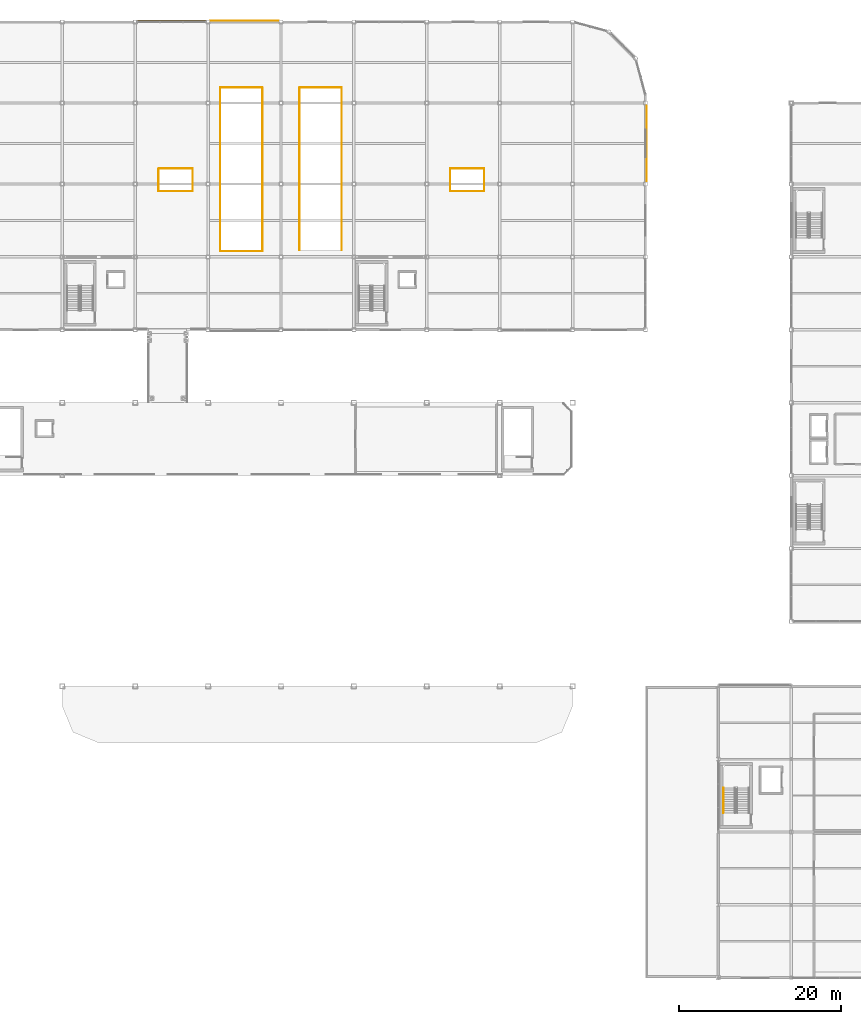
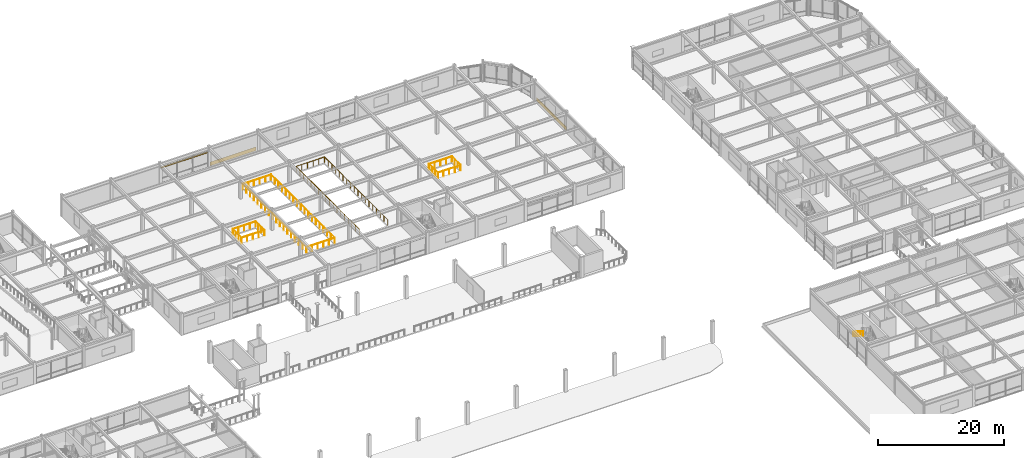
# One storey, part 98 of 105: 8 railings, 2 coverings, 1 shading device.
"""IFC4 building model written with IfcOpenShell, lengths in metres."""

import ifcopenshell
import ifcopenshell.guid

model = None  # the IFC model being written
_history = None  # IfcOwnerHistory: only IFC2X3 demands one
_inside = {}  # id of a spatial element -> (the spatial element, [elements in it])
_under = {}  # id of a project, library or spatial element -> (it, [spatial elements below it])
_declared = {}  # id of a project -> (the project, [libraries it declares])
_typed = {}  # id of a type object -> (the type object, [elements of that type])
_made_of = {}  # id of a material, layer set ... -> (it, [elements and type objects made of it])


def new_model(schema):
    """Start an empty IFC model of exactly this schema.

    Asked for "IFC4X3", IfcOpenShell would pick the latest addendum, in which some entities
    have other attributes; the version numbers below select the first issue.
    IFC2X3 requires an IfcOwnerHistory on every rooted entity: one is made here for all.
    """
    global model, _history
    if schema == "IFC4X3":
        model = ifcopenshell.file(schema_version=(4, 3, 0, 0))
    else:
        model = ifcopenshell.file(schema=schema)
    _inside.clear()
    _under.clear()
    _declared.clear()
    _typed.clear()
    _made_of.clear()
    _history = None
    if model.schema == "IFC2X3":
        org = make("IfcOrganization", Name="unknown")
        user = make(
            "IfcPersonAndOrganization",
            ThePerson=make("IfcPerson", FamilyName="unknown"),
            TheOrganization=org,
        )
        app = make(
            "IfcApplication",
            ApplicationDeveloper=org,
            Version="unknown",
            ApplicationFullName="unknown",
            ApplicationIdentifier="unknown",
        )
        _history = make(
            "IfcOwnerHistory",
            OwningUser=user,
            OwningApplication=app,
            ChangeAction="ADDED",
            CreationDate=0,
        )
    return model


def make(cls, **values):
    """One entity of the class cls with the attributes given. An attribute that is None is left unset."""
    return model.create_entity(
        cls, **{name: value for name, value in values.items() if value is not None}
    )


def rooted(cls, **values):
    """An entity with a GlobalId (a new one), such as an element, a storey or a relation."""
    return make(cls, GlobalId=ifcopenshell.guid.new(), OwnerHistory=_history, **values)


def si_unit(unit_type, name, prefix=None):
    """IfcSIUnit, for example si_unit("LENGTHUNIT", "METRE", prefix="MILLI")."""
    return make("IfcSIUnit", UnitType=unit_type, Prefix=prefix, Name=name)


def assignment(units):
    """IfcUnitAssignment: the units of a project."""
    return None if units is None else make("IfcUnitAssignment", Units=units)


def point(xyz):
    """IfcCartesianPoint."""
    return None if xyz is None else make("IfcCartesianPoint", Coordinates=xyz)


def direction(xyz):
    """IfcDirection."""
    return None if xyz is None else make("IfcDirection", DirectionRatios=xyz)


def frame(location, z_axis=None, x_axis=None):
    """IfcAxis2Placement3D, a coordinate frame: its origin and axes. An axis left out is left unset."""
    return make(
        "IfcAxis2Placement3D",
        Location=point(location),
        Axis=direction(z_axis),
        RefDirection=direction(x_axis),
    )


def frame_2d(location, x_axis=None):
    """IfcAxis2Placement2D, a coordinate frame in the plane: its origin and x axis."""
    return make(
        "IfcAxis2Placement2D", Location=point(location), RefDirection=direction(x_axis)
    )


def origin():
    """The frame at (0, 0, 0) with its axes left unset."""
    return frame((0.0, 0.0, 0.0))


def origin_2d():
    """The frame at (0, 0) in the plane with its x axis left unset."""
    return frame_2d((0.0, 0.0))


def place(relative_to, where):
    """IfcLocalPlacement: puts the frame where relative to a parent placement (None: the world)."""
    return make(
        "IfcLocalPlacement", PlacementRelTo=relative_to, RelativePlacement=where
    )


def context(
    kind, dimensions, precision=None, world=None, true_north=None, identifier=None
):
    """IfcGeometricRepresentationContext, for example the 3D "Model" context."""
    return make(
        "IfcGeometricRepresentationContext",
        ContextIdentifier=identifier,
        ContextType=kind,
        CoordinateSpaceDimension=dimensions,
        Precision=precision,
        WorldCoordinateSystem=world,
        TrueNorth=true_north,
    )


def subcontext(parent, identifier, kind, view, scale=None):
    """IfcGeometricRepresentationSubContext, for example "Body" below "Model"."""
    return make(
        "IfcGeometricRepresentationSubContext",
        ContextIdentifier=identifier,
        ContextType=kind,
        ParentContext=parent,
        TargetScale=scale,
        TargetView=view,
    )


def project(units=None, contexts=None):
    """IfcProject with its units and contexts."""
    return rooted(
        "IfcProject",
        Name="project",
        RepresentationContexts=contexts,
        UnitsInContext=assignment(units),
    )


def spatial(cls, under=None, at=None, **own):
    """A site, building, storey or space (cls), placed at a placement, below another one or the project."""
    s = rooted(cls, ObjectPlacement=at, **own)
    if under is not None:
        _under.setdefault(under.id(), (under, []))[1].append(s)
    return s


def profile(cls, at=None, kind="AREA", **sizes):
    """A parametric profile (cls). Its sizes go by their IFC names, for example OverallWidth=200.0."""
    return make(cls, ProfileType=kind, Position=at, **sizes)


def rectangle(**sizes):
    """IfcRectangleProfileDef."""
    return profile("IfcRectangleProfileDef", **sizes)


def circle(**sizes):
    """IfcCircleProfileDef."""
    return profile("IfcCircleProfileDef", **sizes)


def extrude(swept, where, along, depth):
    """IfcExtrudedAreaSolid: the profile swept, set in the frame where, extruded along a direction by depth."""
    return make(
        "IfcExtrudedAreaSolid",
        SweptArea=swept,
        Position=where,
        ExtrudedDirection=direction(along),
        Depth=depth,
    )


def shape(context_of_items, identifier, shape_type, items):
    """IfcShapeRepresentation: the items that make up one representation, for example the "Body"."""
    return make(
        "IfcShapeRepresentation",
        ContextOfItems=context_of_items,
        RepresentationIdentifier=identifier,
        RepresentationType=shape_type,
        Items=items,
    )


def material(Name=None, Category=None):
    """IfcMaterial."""
    return make("IfcMaterial", Name=Name, Category=Category)


def layer(
    of_material, thickness, ventilated=None, Name=None, Category=None, Priority=None
):
    """IfcMaterialLayer: one layer of a wall or slab, of a material (None: an air gap)."""
    return make(
        "IfcMaterialLayer",
        Material=of_material,
        LayerThickness=thickness,
        IsVentilated=ventilated,
        Name=Name,
        Category=Category,
        Priority=Priority,
    )


def layer_set(layers, Name=None):
    """IfcMaterialLayerSet."""
    return make("IfcMaterialLayerSet", MaterialLayers=layers, LayerSetName=Name)


def material_profile(
    of_material, cross_section, Name=None, Category=None, Priority=None
):
    """IfcMaterialProfile: a cross section and its material."""
    return make(
        "IfcMaterialProfile",
        Name=Name,
        Material=of_material,
        Profile=cross_section,
        Priority=Priority,
        Category=Category,
    )


def profile_set(profiles, Name=None, composite=None):
    """IfcMaterialProfileSet."""
    return make(
        "IfcMaterialProfileSet",
        Name=Name,
        MaterialProfiles=profiles,
        CompositeProfile=composite,
    )


def made_of(thing, what):
    """Note that an element or type object is made of a material, layer set ...; save() writes the relation."""
    if what is not None:
        _made_of.setdefault(what.id(), (what, []))[1].append(thing)
    return thing


def type_object(cls, material=None, **own):
    """A type object (cls), such as IfcWallType, which elements share."""
    return made_of(rooted(cls, **own), material)


def element(
    cls,
    number,
    at=None,
    inside=None,
    cuts=None,
    type_object=None,
    material=None,
    context=None,
    identifier="Body",
    shape_type=None,
    held_by="IfcProductDefinitionShape",
    body=None,
    shapes=None,
    **own,
):
    """One element of the class cls, such as IfcWall. Its Tag is "e" and its number.

    at: its placement. inside: the storey or other place that contains it. cuts: it is an
    opening in that element (IfcRelVoidsElement). A single representation is given by context,
    identifier, shape_type and body (its items); several are given by shapes. held_by: the class
    of the entity that holds the representations. save() writes the other relations.
    """
    e = rooted(cls, Tag="e%d" % number, ObjectPlacement=at, **own)
    if body is not None:
        shapes = [shape(context, identifier, shape_type, body)]
    if shapes is not None:
        e.Representation = make(held_by, Representations=shapes)
    if inside is not None:
        _inside.setdefault(inside.id(), (inside, []))[1].append(e)
    if cuts is not None:
        rooted(
            "IfcRelVoidsElement", RelatingBuildingElement=cuts, RelatedOpeningElement=e
        )
    if type_object is not None:
        _typed.setdefault(type_object.id(), (type_object, []))[1].append(e)
    return made_of(e, material)


def aggregate(whole, parts):
    """IfcRelAggregates: a whole, such as a stair, and the parts it consists of."""
    return rooted("IfcRelAggregates", RelatingObject=whole, RelatedObjects=parts)


def save(model, path):
    """Write the relations noted so far, then the file.

    IfcRelAggregates (storeys below a building ...), IfcRelContainedInSpatialStructure (elements
    in a storey), IfcRelDefinesByType, IfcRelAssociatesMaterial and IfcRelDeclares: one each for
    every whole, place, type object, material and project.
    """
    for whole, parts in _under.values():
        aggregate(whole, parts)
    for where, things in _inside.values():
        rooted(
            "IfcRelContainedInSpatialStructure",
            RelatedElements=things,
            RelatingStructure=where,
        )
    for kind, things in _typed.values():
        rooted("IfcRelDefinesByType", RelatedObjects=things, RelatingType=kind)
    for what, things in _made_of.values():
        rooted("IfcRelAssociatesMaterial", RelatedObjects=things, RelatingMaterial=what)
    for by, libraries in _declared.values():
        rooted("IfcRelDeclares", RelatingContext=by, RelatedDefinitions=libraries)
    model.write(path)


model = new_model("IFC4")

# Units and contexts
model_context = context("Model", 3, precision=1e-05, world=origin(), true_north=direction((0.0, 1.0)))
body_context = subcontext(model_context, "Body", "Model", "MODEL_VIEW")
ifc_project = project(units=[si_unit("LENGTHUNIT", "METRE"), si_unit("AREAUNIT", "SQUARE_METRE"), si_unit("VOLUMEUNIT", "CUBIC_METRE"), si_unit("PLANEANGLEUNIT", "RADIAN"), si_unit("MASSUNIT", "GRAM", prefix="KILO")], contexts=[model_context])

# Site, building, storey
site_placement = place(None, origin())
site = spatial("IfcSite", under=ifc_project, at=site_placement, CompositionType="ELEMENT")
building_placement = place(site_placement, origin())
building = spatial("IfcBuilding", under=site, at=building_placement, Name="Suzunagisa Mobility Hub", CompositionType="ELEMENT")
storey_placement = place(building_placement, frame((0.0, 0.0, 5.10009765625)))
storey = spatial("IfcBuildingStorey", under=building, at=storey_placement, Name="L01", CompositionType="ELEMENT", Elevation=5.10009765625)

# Railings
ifc_material_1 = material(Name="Stainless Steel SUS304", Category="metal")
railing_type_1 = type_object("IfcRailingType", Name="Interior Well Guardrail IGR-01", PredefinedType="GUARDRAIL", material=ifc_material_1)
railing_1_placement = place(storey_placement, frame((73.5, 89.699951171875, 0.0)))
element("IfcRailing", 1, at=railing_1_placement, inside=storey, type_object=railing_type_1, Name="L01 Car Park Up-Ramp Well Guardrail RG-24", PredefinedType="GUARDRAIL", context=body_context, shape_type="SweptSolid", body=[
    extrude(circle(Radius=0.02392578125, at=origin_2d()), frame((0.0, 0.0, 1.09619140625), z_axis=(0.0, 1.0, 0.0), x_axis=(-1.0, 0.0, 0.0)), (0.0, 0.0, 1.0), 20.199951171875),
    extrude(circle(Radius=0.02392578125, at=origin_2d()), frame((0.0, 20.199951171875, 1.09619140625), z_axis=(1.0, 0.0, 0.0), x_axis=(0.0, 1.0, 0.0)), (0.0, 0.0, 1.0), 5.199951171875),
    extrude(circle(Radius=0.02099609375, at=origin_2d()), origin(), (0.0, 0.0, 1.0), 1.072021484375),
    extrude(circle(Radius=0.02099609375, at=origin_2d()), frame((0.0, 1.188232421875, 0.0)), (0.0, 0.0, 1.0), 1.072021484375),
    extrude(circle(Radius=0.02099609375, at=origin_2d()), frame((0.0, 2.37646484375, 0.0)), (0.0, 0.0, 1.0), 1.072021484375),
    extrude(circle(Radius=0.02099609375, at=origin_2d()), frame((0.0, 3.564697265625, 0.0)), (0.0, 0.0, 1.0), 1.072021484375),
    extrude(circle(Radius=0.02099609375, at=origin_2d()), frame((0.0, 4.7529296875, 0.0)), (0.0, 0.0, 1.0), 1.072021484375),
    extrude(circle(Radius=0.02099609375, at=origin_2d()), frame((0.0, 5.941162109375, 0.0)), (0.0, 0.0, 1.0), 1.072021484375),
    extrude(circle(Radius=0.02099609375, at=origin_2d()), frame((0.0, 7.12939453125, 0.0)), (0.0, 0.0, 1.0), 1.072021484375),
    extrude(circle(Radius=0.02099609375, at=origin_2d()), frame((0.0, 8.317626953125, 0.0)), (0.0, 0.0, 1.0), 1.072021484375),
    extrude(circle(Radius=0.02099609375, at=origin_2d()), frame((0.0, 9.505859375, 0.0)), (0.0, 0.0, 1.0), 1.072021484375),
    extrude(circle(Radius=0.02099609375, at=origin_2d()), frame((0.0, 10.694091796875, 0.0)), (0.0, 0.0, 1.0), 1.072021484375),
    extrude(circle(Radius=0.02099609375, at=origin_2d()), frame((0.0, 11.88232421875, 0.0)), (0.0, 0.0, 1.0), 1.072021484375),
    extrude(circle(Radius=0.02099609375, at=origin_2d()), frame((0.0, 13.070556640625, 0.0)), (0.0, 0.0, 1.0), 1.072021484375),
    extrude(circle(Radius=0.02099609375, at=origin_2d()), frame((0.0, 14.2587890625, 0.0)), (0.0, 0.0, 1.0), 1.072021484375),
    extrude(circle(Radius=0.02099609375, at=origin_2d()), frame((0.0, 15.447021484375, 0.0)), (0.0, 0.0, 1.0), 1.072021484375),
    extrude(circle(Radius=0.02099609375, at=origin_2d()), frame((0.0, 16.63525390625, 0.0)), (0.0, 0.0, 1.0), 1.072021484375),
    extrude(circle(Radius=0.02099609375, at=origin_2d()), frame((0.0, 17.823486328125, 0.0)), (0.0, 0.0, 1.0), 1.072021484375),
    extrude(circle(Radius=0.02099609375, at=origin_2d()), frame((0.0, 19.01171875, 0.0)), (0.0, 0.0, 1.0), 1.072021484375),
    extrude(circle(Radius=0.02099609375, at=origin_2d()), frame((0.0, 20.199951171875, 0.0)), (0.0, 0.0, 1.0), 1.072021484375),
    extrude(circle(Radius=0.02099609375, at=origin_2d()), frame((1.0400390625, 20.199951171875, 0.0)), (0.0, 0.0, 1.0), 1.072021484375),
    extrude(circle(Radius=0.02099609375, at=origin_2d()), frame((2.080078125, 20.199951171875, 0.0)), (0.0, 0.0, 1.0), 1.072021484375),
    extrude(circle(Radius=0.02099609375, at=origin_2d()), frame((3.119873046875, 20.199951171875, 0.0)), (0.0, 0.0, 1.0), 1.072021484375),
    extrude(circle(Radius=0.02099609375, at=origin_2d()), frame((4.159912109375, 20.199951171875, 0.0)), (0.0, 0.0, 1.0), 1.072021484375),
    extrude(circle(Radius=0.02099609375, at=origin_2d()), frame((5.199951171875, 20.199951171875, 0.0)), (0.0, 0.0, 1.0), 1.072021484375),
])
railing_2_placement = place(storey_placement, frame((78.699951171875, 109.8798828125, 0.0)))
element("IfcRailing", 2, at=railing_2_placement, inside=storey, type_object=railing_type_1, Name="L01 Car Park Up-Ramp Well Guardrail RG-25", PredefinedType="GUARDRAIL", context=body_context, shape_type="SweptSolid", body=[
    extrude(circle(Radius=0.02392578125, at=origin_2d()), frame((0.0, 0.0, 1.09619140625), z_axis=(0.0, -1.0, 0.0), x_axis=(1.0, 0.0, 0.0)), (0.0, 0.0, 1.0), 20.179931640625),
    extrude(circle(Radius=0.02392578125, at=origin_2d()), frame((0.0, -20.179931640625, 1.09619140625), z_axis=(-1.0, 0.0, 0.0), x_axis=(0.0, -1.0, 0.0)), (0.0, 0.0, 1.0), 5.179931640625),
    extrude(circle(Radius=0.02099609375, at=origin_2d()), origin(), (0.0, 0.0, 1.0), 1.072021484375),
    extrude(circle(Radius=0.02099609375, at=origin_2d()), frame((0.0, -1.18701171875, 0.0)), (0.0, 0.0, 1.0), 1.072021484375),
    extrude(circle(Radius=0.02099609375, at=origin_2d()), frame((0.0, -2.3740234375, 0.0)), (0.0, 0.0, 1.0), 1.072021484375),
    extrude(circle(Radius=0.02099609375, at=origin_2d()), frame((0.0, -3.561279296875, 0.0)), (0.0, 0.0, 1.0), 1.072021484375),
    extrude(circle(Radius=0.02099609375, at=origin_2d()), frame((0.0, -4.748291015625, 0.0)), (0.0, 0.0, 1.0), 1.072021484375),
    extrude(circle(Radius=0.02099609375, at=origin_2d()), frame((0.0, -5.935302734375, 0.0)), (0.0, 0.0, 1.0), 1.072021484375),
    extrude(circle(Radius=0.02099609375, at=origin_2d()), frame((0.0, -7.122314453125, 0.0)), (0.0, 0.0, 1.0), 1.072021484375),
    extrude(circle(Radius=0.02099609375, at=origin_2d()), frame((0.0, -8.309326171875, 0.0)), (0.0, 0.0, 1.0), 1.072021484375),
    extrude(circle(Radius=0.02099609375, at=origin_2d()), frame((0.0, -9.496337890625, 0.0)), (0.0, 0.0, 1.0), 1.072021484375),
    extrude(circle(Radius=0.02099609375, at=origin_2d()), frame((0.0, -10.68359375, 0.0)), (0.0, 0.0, 1.0), 1.072021484375),
    extrude(circle(Radius=0.02099609375, at=origin_2d()), frame((0.0, -11.87060546875, 0.0)), (0.0, 0.0, 1.0), 1.072021484375),
    extrude(circle(Radius=0.02099609375, at=origin_2d()), frame((0.0, -13.0576171875, 0.0)), (0.0, 0.0, 1.0), 1.072021484375),
    extrude(circle(Radius=0.02099609375, at=origin_2d()), frame((0.0, -14.24462890625, 0.0)), (0.0, 0.0, 1.0), 1.072021484375),
    extrude(circle(Radius=0.02099609375, at=origin_2d()), frame((0.0, -15.431640625, 0.0)), (0.0, 0.0, 1.0), 1.072021484375),
    extrude(circle(Radius=0.02099609375, at=origin_2d()), frame((0.0, -16.61865234375, 0.0)), (0.0, 0.0, 1.0), 1.072021484375),
    extrude(circle(Radius=0.02099609375, at=origin_2d()), frame((0.0, -17.805908203125, 0.0)), (0.0, 0.0, 1.0), 1.072021484375),
    extrude(circle(Radius=0.02099609375, at=origin_2d()), frame((0.0, -18.992919921875, 0.0)), (0.0, 0.0, 1.0), 1.072021484375),
    extrude(circle(Radius=0.02099609375, at=origin_2d()), frame((0.0, -20.179931640625, 0.0)), (0.0, 0.0, 1.0), 1.072021484375),
    extrude(circle(Radius=0.02099609375, at=origin_2d()), frame((-1.035888671875, -20.179931640625, 0.0)), (0.0, 0.0, 1.0), 1.072021484375),
    extrude(circle(Radius=0.02099609375, at=origin_2d()), frame((-2.072021484375, -20.179931640625, 0.0)), (0.0, 0.0, 1.0), 1.072021484375),
    extrude(circle(Radius=0.02099609375, at=origin_2d()), frame((-3.10791015625, -20.179931640625, 0.0)), (0.0, 0.0, 1.0), 1.072021484375),
    extrude(circle(Radius=0.02099609375, at=origin_2d()), frame((-4.14404296875, -20.179931640625, 0.0)), (0.0, 0.0, 1.0), 1.072021484375),
    extrude(circle(Radius=0.02099609375, at=origin_2d()), frame((-5.179931640625, -20.179931640625, 0.0)), (0.0, 0.0, 1.0), 1.072021484375),
])
railing_3_placement = place(storey_placement, frame((83.300048828125, 89.85009765625, 0.0)))
element("IfcRailing", 3, at=railing_3_placement, inside=storey, type_object=railing_type_1, Name="L01 Car Park Arrival Well Guardrail RG-26", PredefinedType="GUARDRAIL", context=body_context, shape_type="SweptSolid", body=[
    extrude(circle(Radius=0.02392578125, at=origin_2d()), frame((0.0, 0.0, 1.09619140625), z_axis=(0.0, 1.0, 0.0), x_axis=(-1.0, 0.0, 0.0)), (0.0, 0.0, 1.0), 20.0498046875),
    extrude(circle(Radius=0.02392578125, at=origin_2d()), frame((0.0, 20.0498046875, 1.09619140625), z_axis=(1.0, 0.0, 0.0), x_axis=(0.0, 1.0, 0.0)), (0.0, 0.0, 1.0), 5.199951171875),
    extrude(circle(Radius=0.02392578125, at=origin_2d()), frame((5.199951171875, 20.0498046875, 1.09619140625), z_axis=(0.0, -1.0, 0.0), x_axis=(1.0, 0.0, 0.0)), (0.0, 0.0, 1.0), 20.0498046875),
    extrude(circle(Radius=0.02099609375, at=origin_2d()), origin(), (0.0, 0.0, 1.0), 1.072021484375),
    extrude(circle(Radius=0.02099609375, at=origin_2d()), frame((0.0, 1.179443359375, 0.0)), (0.0, 0.0, 1.0), 1.072021484375),
    extrude(circle(Radius=0.02099609375, at=origin_2d()), frame((0.0, 2.35888671875, 0.0)), (0.0, 0.0, 1.0), 1.072021484375),
    extrude(circle(Radius=0.02099609375, at=origin_2d()), frame((0.0, 3.5380859375, 0.0)), (0.0, 0.0, 1.0), 1.072021484375),
    extrude(circle(Radius=0.02099609375, at=origin_2d()), frame((0.0, 4.717529296875, 0.0)), (0.0, 0.0, 1.0), 1.072021484375),
    extrude(circle(Radius=0.02099609375, at=origin_2d()), frame((0.0, 5.89697265625, 0.0)), (0.0, 0.0, 1.0), 1.072021484375),
    extrude(circle(Radius=0.02099609375, at=origin_2d()), frame((0.0, 7.076416015625, 0.0)), (0.0, 0.0, 1.0), 1.072021484375),
    extrude(circle(Radius=0.02099609375, at=origin_2d()), frame((0.0, 8.255859375, 0.0)), (0.0, 0.0, 1.0), 1.072021484375),
    extrude(circle(Radius=0.02099609375, at=origin_2d()), frame((0.0, 9.435302734375, 0.0)), (0.0, 0.0, 1.0), 1.072021484375),
    extrude(circle(Radius=0.02099609375, at=origin_2d()), frame((0.0, 10.614501953125, 0.0)), (0.0, 0.0, 1.0), 1.072021484375),
    extrude(circle(Radius=0.02099609375, at=origin_2d()), frame((0.0, 11.7939453125, 0.0)), (0.0, 0.0, 1.0), 1.072021484375),
    extrude(circle(Radius=0.02099609375, at=origin_2d()), frame((0.0, 12.973388671875, 0.0)), (0.0, 0.0, 1.0), 1.072021484375),
    extrude(circle(Radius=0.02099609375, at=origin_2d()), frame((0.0, 14.15283203125, 0.0)), (0.0, 0.0, 1.0), 1.072021484375),
    extrude(circle(Radius=0.02099609375, at=origin_2d()), frame((0.0, 15.332275390625, 0.0)), (0.0, 0.0, 1.0), 1.072021484375),
    extrude(circle(Radius=0.02099609375, at=origin_2d()), frame((0.0, 16.51171875, 0.0)), (0.0, 0.0, 1.0), 1.072021484375),
    extrude(circle(Radius=0.02099609375, at=origin_2d()), frame((0.0, 17.69091796875, 0.0)), (0.0, 0.0, 1.0), 1.072021484375),
    extrude(circle(Radius=0.02099609375, at=origin_2d()), frame((0.0, 18.870361328125, 0.0)), (0.0, 0.0, 1.0), 1.072021484375),
    extrude(circle(Radius=0.02099609375, at=origin_2d()), frame((0.0, 20.0498046875, 0.0)), (0.0, 0.0, 1.0), 1.072021484375),
    extrude(circle(Radius=0.02099609375, at=origin_2d()), frame((1.0400390625, 20.0498046875, 0.0)), (0.0, 0.0, 1.0), 1.072021484375),
    extrude(circle(Radius=0.02099609375, at=origin_2d()), frame((2.080078125, 20.0498046875, 0.0)), (0.0, 0.0, 1.0), 1.072021484375),
    extrude(circle(Radius=0.02099609375, at=origin_2d()), frame((3.119873046875, 20.0498046875, 0.0)), (0.0, 0.0, 1.0), 1.072021484375),
    extrude(circle(Radius=0.02099609375, at=origin_2d()), frame((4.159912109375, 20.0498046875, 0.0)), (0.0, 0.0, 1.0), 1.072021484375),
    extrude(circle(Radius=0.02099609375, at=origin_2d()), frame((5.199951171875, 20.0498046875, 0.0)), (0.0, 0.0, 1.0), 1.072021484375),
    extrude(circle(Radius=0.02099609375, at=origin_2d()), frame((5.199951171875, 18.870361328125, 0.0)), (0.0, 0.0, 1.0), 1.072021484375),
    extrude(circle(Radius=0.02099609375, at=origin_2d()), frame((5.199951171875, 17.69091796875, 0.0)), (0.0, 0.0, 1.0), 1.072021484375),
    extrude(circle(Radius=0.02099609375, at=origin_2d()), frame((5.199951171875, 16.51171875, 0.0)), (0.0, 0.0, 1.0), 1.072021484375),
    extrude(circle(Radius=0.02099609375, at=origin_2d()), frame((5.199951171875, 15.332275390625, 0.0)), (0.0, 0.0, 1.0), 1.072021484375),
    extrude(circle(Radius=0.02099609375, at=origin_2d()), frame((5.199951171875, 14.15283203125, 0.0)), (0.0, 0.0, 1.0), 1.072021484375),
    extrude(circle(Radius=0.02099609375, at=origin_2d()), frame((5.199951171875, 12.973388671875, 0.0)), (0.0, 0.0, 1.0), 1.072021484375),
    extrude(circle(Radius=0.02099609375, at=origin_2d()), frame((5.199951171875, 11.7939453125, 0.0)), (0.0, 0.0, 1.0), 1.072021484375),
    extrude(circle(Radius=0.02099609375, at=origin_2d()), frame((5.199951171875, 10.614501953125, 0.0)), (0.0, 0.0, 1.0), 1.072021484375),
    extrude(circle(Radius=0.02099609375, at=origin_2d()), frame((5.199951171875, 9.435302734375, 0.0)), (0.0, 0.0, 1.0), 1.072021484375),
    extrude(circle(Radius=0.02099609375, at=origin_2d()), frame((5.199951171875, 8.255859375, 0.0)), (0.0, 0.0, 1.0), 1.072021484375),
    extrude(circle(Radius=0.02099609375, at=origin_2d()), frame((5.199951171875, 7.076416015625, 0.0)), (0.0, 0.0, 1.0), 1.072021484375),
    extrude(circle(Radius=0.02099609375, at=origin_2d()), frame((5.199951171875, 5.89697265625, 0.0)), (0.0, 0.0, 1.0), 1.072021484375),
    extrude(circle(Radius=0.02099609375, at=origin_2d()), frame((5.199951171875, 4.717529296875, 0.0)), (0.0, 0.0, 1.0), 1.072021484375),
    extrude(circle(Radius=0.02099609375, at=origin_2d()), frame((5.199951171875, 3.5380859375, 0.0)), (0.0, 0.0, 1.0), 1.072021484375),
    extrude(circle(Radius=0.02099609375, at=origin_2d()), frame((5.199951171875, 2.35888671875, 0.0)), (0.0, 0.0, 1.0), 1.072021484375),
    extrude(circle(Radius=0.02099609375, at=origin_2d()), frame((5.199951171875, 1.179443359375, 0.0)), (0.0, 0.0, 1.0), 1.072021484375),
    extrude(circle(Radius=0.02099609375, at=origin_2d()), frame((5.199951171875, 0.0, 0.0)), (0.0, 0.0, 1.0), 1.072021484375),
])
railing_4_placement = place(storey_placement, frame((65.89990234375, 99.840087890625, 0.0)))
element("IfcRailing", 4, at=railing_4_placement, inside=storey, type_object=railing_type_1, Name="L01 Smoke-Relief Lightwell Guardrail LG-53S", PredefinedType="GUARDRAIL", context=body_context, shape_type="SweptSolid", body=[
    extrude(circle(Radius=0.02392578125, at=origin_2d()), frame((0.0, 0.0, 1.09619140625), z_axis=(0.0, -1.0, 0.0), x_axis=(1.0, 0.0, 0.0)), (0.0, 0.0, 1.0), 2.739990234375),
    extrude(circle(Radius=0.02392578125, at=origin_2d()), frame((0.0, -2.739990234375, 1.09619140625), z_axis=(1.0, 0.0, 0.0), x_axis=(0.0, 1.0, 0.0)), (0.0, 0.0, 1.0), 4.2001953125),
    extrude(circle(Radius=0.02099609375, at=origin_2d()), origin(), (0.0, 0.0, 1.0), 1.072021484375),
    extrude(circle(Radius=0.02099609375, at=origin_2d()), frame((0.0, -0.913330078125, 0.0)), (0.0, 0.0, 1.0), 1.072021484375),
    extrude(circle(Radius=0.02099609375, at=origin_2d()), frame((0.0, -1.82666015625, 0.0)), (0.0, 0.0, 1.0), 1.072021484375),
    extrude(circle(Radius=0.02099609375, at=origin_2d()), frame((0.0, -2.739990234375, 0.0)), (0.0, 0.0, 1.0), 1.072021484375),
    extrude(circle(Radius=0.02099609375, at=origin_2d()), frame((1.050048828125, -2.739990234375, 0.0)), (0.0, 0.0, 1.0), 1.072021484375),
    extrude(circle(Radius=0.02099609375, at=origin_2d()), frame((2.10009765625, -2.739990234375, 0.0)), (0.0, 0.0, 1.0), 1.072021484375),
    extrude(circle(Radius=0.02099609375, at=origin_2d()), frame((3.150146484375, -2.739990234375, 0.0)), (0.0, 0.0, 1.0), 1.072021484375),
    extrude(circle(Radius=0.02099609375, at=origin_2d()), frame((4.2001953125, -2.739990234375, 0.0)), (0.0, 0.0, 1.0), 1.072021484375),
])
railing_5_placement = place(storey_placement, frame((70.10009765625, 97.159912109375, 0.0)))
element("IfcRailing", 5, at=railing_5_placement, inside=storey, type_object=railing_type_1, Name="L01 Smoke-Relief Lightwell Guardrail LG-54N", PredefinedType="GUARDRAIL", context=body_context, shape_type="SweptSolid", body=[
    extrude(circle(Radius=0.02392578125, at=origin_2d()), frame((0.0, 0.0, 1.09619140625), z_axis=(0.0, 1.0, 0.0), x_axis=(-1.0, 0.0, 0.0)), (0.0, 0.0, 1.0), 2.739990234375),
    extrude(circle(Radius=0.02392578125, at=origin_2d()), frame((0.0, 2.739990234375, 1.09619140625), z_axis=(-1.0, 0.0, 0.0), x_axis=(0.0, -1.0, 0.0)), (0.0, 0.0, 1.0), 4.2001953125),
    extrude(circle(Radius=0.02099609375, at=origin_2d()), origin(), (0.0, 0.0, 1.0), 1.072021484375),
    extrude(circle(Radius=0.02099609375, at=origin_2d()), frame((0.0, 0.913330078125, 0.0)), (0.0, 0.0, 1.0), 1.072021484375),
    extrude(circle(Radius=0.02099609375, at=origin_2d()), frame((0.0, 1.82666015625, 0.0)), (0.0, 0.0, 1.0), 1.072021484375),
    extrude(circle(Radius=0.02099609375, at=origin_2d()), frame((0.0, 2.739990234375, 0.0)), (0.0, 0.0, 1.0), 1.072021484375),
    extrude(circle(Radius=0.02099609375, at=origin_2d()), frame((-1.050048828125, 2.739990234375, 0.0)), (0.0, 0.0, 1.0), 1.072021484375),
    extrude(circle(Radius=0.02099609375, at=origin_2d()), frame((-2.10009765625, 2.739990234375, 0.0)), (0.0, 0.0, 1.0), 1.072021484375),
    extrude(circle(Radius=0.02099609375, at=origin_2d()), frame((-3.150146484375, 2.739990234375, 0.0)), (0.0, 0.0, 1.0), 1.072021484375),
    extrude(circle(Radius=0.02099609375, at=origin_2d()), frame((-4.2001953125, 2.739990234375, 0.0)), (0.0, 0.0, 1.0), 1.072021484375),
])
railing_6_placement = place(storey_placement, frame((101.89990234375, 99.840087890625, 0.0)))
element("IfcRailing", 6, at=railing_6_placement, inside=storey, type_object=railing_type_1, Name="L01 Smoke-Relief Lightwell Guardrail LG-55S", PredefinedType="GUARDRAIL", context=body_context, shape_type="SweptSolid", body=[
    extrude(circle(Radius=0.02392578125, at=origin_2d()), frame((0.0, 0.0, 1.09619140625), z_axis=(0.0, -1.0, 0.0), x_axis=(1.0, 0.0, 0.0)), (0.0, 0.0, 1.0), 2.739990234375),
    extrude(circle(Radius=0.02392578125, at=origin_2d()), frame((0.0, -2.739990234375, 1.09619140625), z_axis=(1.0, 0.0, 0.0), x_axis=(0.0, 1.0, 0.0)), (0.0, 0.0, 1.0), 4.2001953125),
    extrude(circle(Radius=0.02099609375, at=origin_2d()), origin(), (0.0, 0.0, 1.0), 1.072021484375),
    extrude(circle(Radius=0.02099609375, at=origin_2d()), frame((0.0, -0.913330078125, 0.0)), (0.0, 0.0, 1.0), 1.072021484375),
    extrude(circle(Radius=0.02099609375, at=origin_2d()), frame((0.0, -1.82666015625, 0.0)), (0.0, 0.0, 1.0), 1.072021484375),
    extrude(circle(Radius=0.02099609375, at=origin_2d()), frame((0.0, -2.739990234375, 0.0)), (0.0, 0.0, 1.0), 1.072021484375),
    extrude(circle(Radius=0.02099609375, at=origin_2d()), frame((1.050048828125, -2.739990234375, 0.0)), (0.0, 0.0, 1.0), 1.072021484375),
    extrude(circle(Radius=0.02099609375, at=origin_2d()), frame((2.10009765625, -2.739990234375, 0.0)), (0.0, 0.0, 1.0), 1.072021484375),
    extrude(circle(Radius=0.02099609375, at=origin_2d()), frame((3.150146484375, -2.739990234375, 0.0)), (0.0, 0.0, 1.0), 1.072021484375),
    extrude(circle(Radius=0.02099609375, at=origin_2d()), frame((4.2001953125, -2.739990234375, 0.0)), (0.0, 0.0, 1.0), 1.072021484375),
])
railing_7_placement = place(storey_placement, frame((106.10009765625, 97.159912109375, 0.0)))
element("IfcRailing", 7, at=railing_7_placement, inside=storey, type_object=railing_type_1, Name="L01 Smoke-Relief Lightwell Guardrail LG-56N", PredefinedType="GUARDRAIL", context=body_context, shape_type="SweptSolid", body=[
    extrude(circle(Radius=0.02392578125, at=origin_2d()), frame((0.0, 0.0, 1.09619140625), z_axis=(0.0, 1.0, 0.0), x_axis=(-1.0, 0.0, 0.0)), (0.0, 0.0, 1.0), 2.739990234375),
    extrude(circle(Radius=0.02392578125, at=origin_2d()), frame((0.0, 2.739990234375, 1.09619140625), z_axis=(-1.0, 0.0, 0.0), x_axis=(0.0, -1.0, 0.0)), (0.0, 0.0, 1.0), 4.2001953125),
    extrude(circle(Radius=0.02099609375, at=origin_2d()), origin(), (0.0, 0.0, 1.0), 1.072021484375),
    extrude(circle(Radius=0.02099609375, at=origin_2d()), frame((0.0, 0.913330078125, 0.0)), (0.0, 0.0, 1.0), 1.072021484375),
    extrude(circle(Radius=0.02099609375, at=origin_2d()), frame((0.0, 1.82666015625, 0.0)), (0.0, 0.0, 1.0), 1.072021484375),
    extrude(circle(Radius=0.02099609375, at=origin_2d()), frame((0.0, 2.739990234375, 0.0)), (0.0, 0.0, 1.0), 1.072021484375),
    extrude(circle(Radius=0.02099609375, at=origin_2d()), frame((-1.050048828125, 2.739990234375, 0.0)), (0.0, 0.0, 1.0), 1.072021484375),
    extrude(circle(Radius=0.02099609375, at=origin_2d()), frame((-2.10009765625, 2.739990234375, 0.0)), (0.0, 0.0, 1.0), 1.072021484375),
    extrude(circle(Radius=0.02099609375, at=origin_2d()), frame((-3.150146484375, 2.739990234375, 0.0)), (0.0, 0.0, 1.0), 1.072021484375),
    extrude(circle(Radius=0.02099609375, at=origin_2d()), frame((-4.2001953125, 2.739990234375, 0.0)), (0.0, 0.0, 1.0), 1.072021484375),
])

# Coverings
ifc_material_2 = material(Name="Vitreous Porcelain Enamel Aluminum Cladding", Category="aluminium")
ifc_layer = layer(ifc_material_2, 0.034912109375)
ifc_layer_set = layer_set([ifc_layer], Name="Vitreous Porcelain Enamel Aluminum Cladding")
covering_type = type_object("IfcCoveringType", Name="Porcelain Enamel Spandrel Cladding Band CLD-01", PredefinedType="CLADDING", material=ifc_layer_set)
covering_1_placement = place(storey_placement, frame((126.157470703125, 103.0, 0.06005859375), z_axis=(0.0, 0.0, 1.0), x_axis=(0.0, 1.0, 0.0)))
element("IfcCovering", 8, at=covering_1_placement, inside=storey, type_object=covering_type, Name="L01 Porcelain Spandrel Cladding Band CLD-17", PredefinedType="CLADDING", context=body_context, shape_type="SweptSolid", body=[
    extrude(rectangle(XDim=9.449951171875, YDim=0.034912109375, at=origin_2d()), origin(), (0.0, 0.0, 1.0), 0.719970703125),
])
covering_2_placement = place(storey_placement, frame((76.5, 118.1474609375, 0.06005859375), z_axis=(0.0, 0.0, 1.0), x_axis=(-1.0, 0.0, 0.0)))
element("IfcCovering", 9, at=covering_2_placement, inside=storey, type_object=covering_type, Name="L01 Porcelain Spandrel Cladding Band CLD-18", PredefinedType="CLADDING", context=body_context, shape_type="SweptSolid", body=[
    extrude(rectangle(XDim=8.449951171875, YDim=0.034912109375, at=origin_2d()), origin(), (0.0, 0.0, 1.0), 0.719970703125),
])

# Shading device
ifc_material_3 = material(Name="Fluoropolymer-Coated Extruded Aluminum 6063-T5", Category="aluminium")
ifc_material_profile = material_profile(ifc_material_3, rectangle(XDim=0.280029296875, YDim=0.044921875, at=origin_2d()), Name="FIN-280x45")
ifc_profile_set = profile_set([ifc_material_profile], Name="Fluoropolymer-Coated Extruded Aluminum 6063-T5")
shading_device_type = type_object("IfcShadingDeviceType", Name="Streamline Aluminum Sunshade SF-03 FIN-280x45", PredefinedType="USERDEFINED", material=ifc_profile_set)
shading_device_placement = place(storey_placement, frame((71.7451171875, 118.107421875, 2.90185546875), z_axis=(-1.0, 0.0, 0.0), x_axis=(0.0, -1.0, 0.0)))
element("IfcShadingDevice", 10, at=shading_device_placement, inside=storey, type_object=shading_device_type, Name="L01 Streamline Speed-Rail Sunshade Fin SF-21", ObjectType="SUNSHADE FIN", PredefinedType="USERDEFINED", context=body_context, shape_type="SweptSolid", body=[
    extrude(rectangle(XDim=0.280029296875, YDim=0.044921875, at=origin_2d()), origin(), (0.0, 0.0, 1.0), 8.490234375),
])

# Railing
railing_type_2 = type_object("IfcRailingType", Name="Tubular Stainless Stair Handrail IHR-01", PredefinedType="HANDRAIL", material=ifc_material_1)
railing_8_placement = place(storey_placement, frame((135.610107421875, 23.43994140625, 2.27490234375)))
element("IfcRailing", 11, at=railing_8_placement, inside=storey, type_object=railing_type_2, Name="L01 ST-09 stair handrail 2", PredefinedType="HANDRAIL", context=body_context, shape_type="SweptSolid", body=[
    extrude(circle(Radius=0.02392578125, at=origin_2d()), frame((0.0, 0.0, 0.8759765625), z_axis=(0.0, -0.847979421464, 0.530029150871), x_axis=(1.0, 0.0, 0.0)), (0.0, 0.0, 1.0), 3.632080078125),
    extrude(circle(Radius=0.02099609375, at=origin_2d()), origin(), (0.0, 0.0, 1.0), 0.851806640625),
    extrude(circle(Radius=0.02099609375, at=origin_2d()), frame((0.0, -0.77001953125, 0.481201171875)), (0.0, 0.0, 1.0), 0.851806640625),
    extrude(circle(Radius=0.02099609375, at=origin_2d()), frame((0.0, -1.5400390625, 0.96240234375)), (0.0, 0.0, 1.0), 0.851806640625),
    extrude(circle(Radius=0.02099609375, at=origin_2d()), frame((0.0, -2.309814453125, 1.44384765625)), (0.0, 0.0, 1.0), 0.851806640625),
    extrude(circle(Radius=0.02099609375, at=origin_2d()), frame((0.0, -3.079833984375, 1.925048828125)), (0.0, 0.0, 1.0), 0.851806640625),
])

save(model, "model.ifc")
